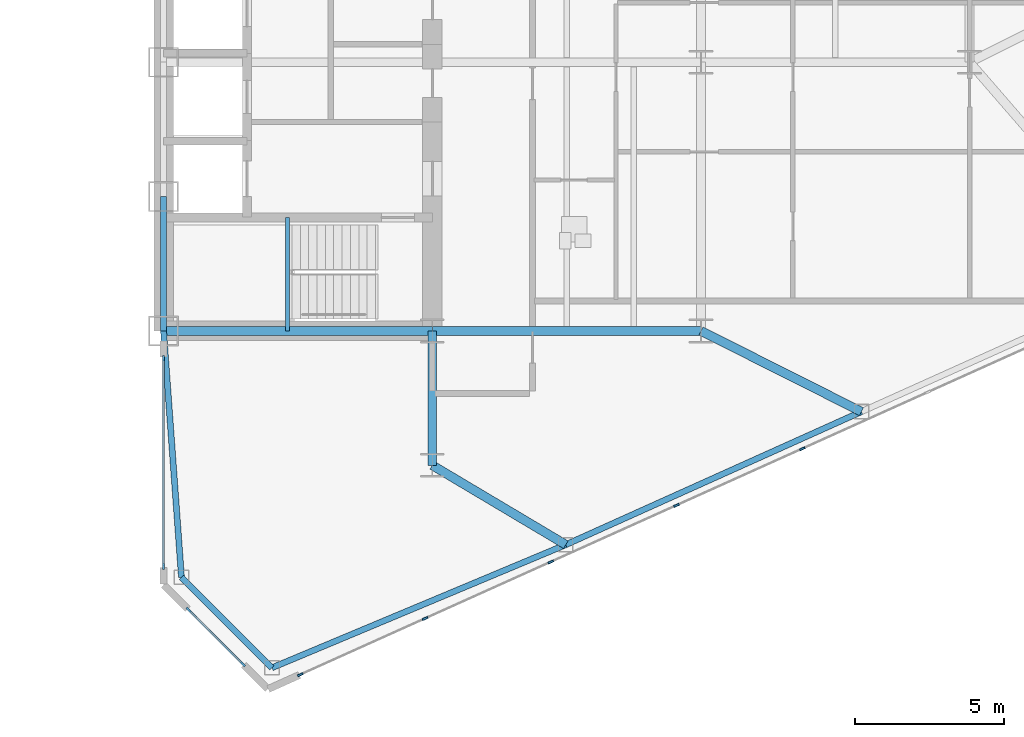
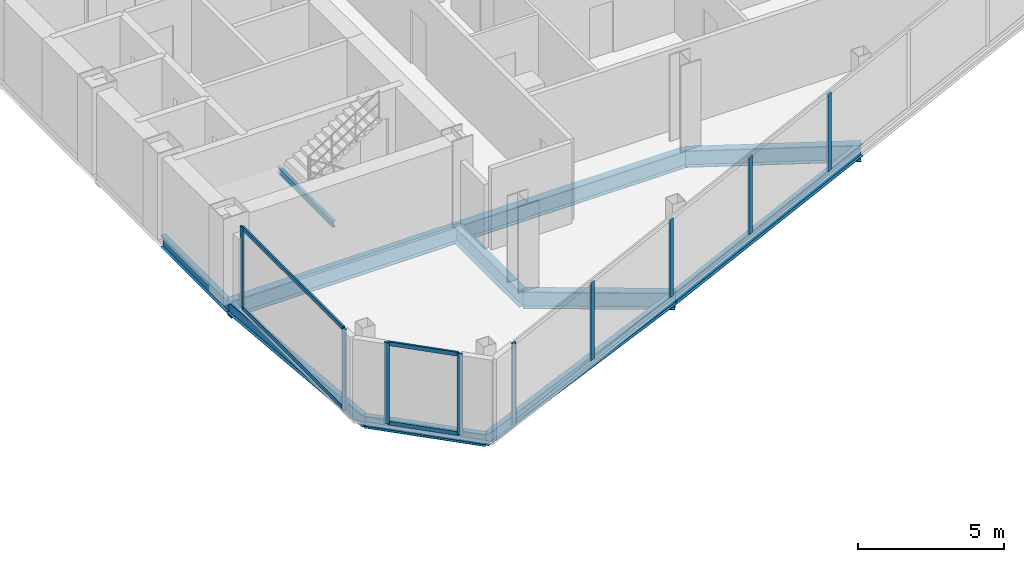
# One storey, part 10 of 27: 13 members, 11 beams, 3 elements without a shape of their own.
"""IFC4 building model written with IfcOpenShell, lengths in metres."""

from ifc_helpers import new_model, si_unit, direction, frame, origin, origin_2d, place, context, subcontext, project, spatial, rectangle, i_section, extrude, source, transform, mapped, material, layer, layer_set, material_profile, profile_set, type_object, type_shapes, element, aggregate, save


model = new_model("IFC4")

# Units and contexts
model_context = context("Model", 3, precision=1e-05, world=origin(), true_north=direction((0.0, 1.0)))
body_context = subcontext(model_context, "Body", "Model", "MODEL_VIEW")
ifc_project = project(units=[si_unit("LENGTHUNIT", "METRE"), si_unit("AREAUNIT", "SQUARE_METRE"), si_unit("VOLUMEUNIT", "CUBIC_METRE"), si_unit("PLANEANGLEUNIT", "RADIAN"), si_unit("MASSUNIT", "GRAM", prefix="KILO")], contexts=[model_context])

# Site, building, storey
site_placement = place(None, origin())
site = spatial("IfcSite", under=ifc_project, at=site_placement, CompositionType="ELEMENT")
building_placement = place(site_placement, origin())
building = spatial("IfcBuilding", under=site, at=building_placement, Name="Seokmaru Belvedere", CompositionType="ELEMENT")
storey_placement = place(building_placement, frame((0.0, 0.0, 92.39990234375)))
storey = spatial("IfcBuildingStorey", under=building, at=storey_placement, Name="L24", CompositionType="ELEMENT", Elevation=92.39990234375)

# Beams
ifc_material_1 = material(Name="Steel SM355 (355 MPa)", Category="steel")
ifc_material_profile_1 = material_profile(ifc_material_1, i_section(OverallWidth=0.199951171875, OverallDepth=0.5, WebThickness=0.010009765625, FlangeThickness=0.01611328125, at=origin_2d()), Name="H-500x200x10x16")
ifc_profile_set_1 = profile_set([ifc_material_profile_1], Name="Steel SM355 (355 MPa)")
beam_type_1 = type_object("IfcBeamType", Name="Perimeter Spandrel Beam H-500", PredefinedType="SPANDREL", material=ifc_profile_set_1)
shared_shape_1 = source(origin(), body_context, "Body", "SweptSolid", [
    extrude(i_section(OverallWidth=0.199951171875, OverallDepth=0.5, WebThickness=0.010009765625, FlangeThickness=0.01611328125, at=origin_2d()), origin(), (0.0, 0.0, 1.0), 4.5),
])
beam_1_placement = place(storey_placement, frame((27.5, -13.5, -0.469970703125), z_axis=(0.0, 1.0, 0.0), x_axis=(-1.0, 0.0, 0.0)))
element("IfcBeam", 1, at=beam_1_placement, inside=storey, type_object=beam_type_1, Name="L24 E Portal Spine Spandrel 1", PredefinedType="SPANDREL", context=body_context, shape_type="MappedRepresentation", body=[
    mapped(shared_shape_1, transform((0.0, 0.0, 0.0), scale=1.0)),
])
ifc_material_profile_2 = material_profile(ifc_material_1, i_section(OverallWidth=0.300048828125, OverallDepth=0.699951171875, WebThickness=0.012939453125, FlangeThickness=0.02392578125, at=origin_2d()), Name="H-700x300x13x24")
ifc_profile_set_2 = profile_set([ifc_material_profile_2], Name="Steel SM355 (355 MPa)")
beam_type_2 = type_object("IfcBeamType", Name="Primary Floor Girder H-700", PredefinedType="BEAM", material=ifc_profile_set_2)
shared_shape_2 = source(origin(), body_context, "Body", "SweptSolid", [
    extrude(i_section(OverallWidth=0.300048828125, OverallDepth=0.699951171875, WebThickness=0.012939453125, FlangeThickness=0.02392578125, at=origin_2d()), origin(), (0.0, 0.0, 1.0), 4.5),
])
beam_2_placement = place(storey_placement, frame((36.5, -18.0, -0.56982421875), z_axis=(0.0, 1.0, 0.0), x_axis=(-1.0, 0.0, 0.0)))
element("IfcBeam", 2, at=beam_2_placement, inside=storey, type_object=beam_type_2, Name="L24 E Core Shoulder Girder S", PredefinedType="BEAM", context=body_context, shape_type="MappedRepresentation", body=[
    mapped(shared_shape_2, transform((0.0, 0.0, 0.0), scale=1.0)),
])
shared_shape_3 = source(origin(), body_context, "Body", "SweptSolid", [
    extrude(i_section(OverallWidth=0.300048828125, OverallDepth=0.699951171875, WebThickness=0.012939453125, FlangeThickness=0.02392578125, at=origin_2d()), origin(), (0.0, 0.0, 1.0), 9.0),
])
for number, where, z_axis, x_axis, name in (
    (3, (27.5, -13.5, -0.56982421875), (1.0, 0.0, 0.0), (0.0, 1.0, 0.0), "L24 E Core Tie Girder 1"),
    (4, (36.5, -13.5, -0.56982421875), (1.0, 0.0, 0.0), (0.0, 1.0, 0.0), "L24 E Wing Primary Girder 1"),
):
    element("IfcBeam", number, at=place(storey_placement, frame(where, z_axis=z_axis, x_axis=x_axis)), inside=storey, type_object=beam_type_2, Name=name, PredefinedType="BEAM", context=body_context, shape_type="MappedRepresentation", body=[
        mapped(shared_shape_3, transform((0.0, 0.0, 0.0), scale=1.0)),
    ])
shared_shape_4 = source(origin(), body_context, "Body", "SweptSolid", [
    extrude(i_section(OverallWidth=0.199951171875, OverallDepth=0.5, WebThickness=0.010009765625, FlangeThickness=0.01611328125, at=origin_2d()), origin(), (0.0, 0.0, 1.0), 10.66943359375),
])
beam_3_placement = place(storey_placement, frame((31.13134765625, -24.782958984375, -0.469970703125), z_axis=(0.922375393128, 0.386294750355, 0.0), x_axis=(-0.386294750355, 0.922375393128, 0.0)))
element("IfcBeam", 5, at=beam_3_placement, inside=storey, type_object=beam_type_1, Name="L24 E Faceted Flank Spandrel S-1", PredefinedType="SPANDREL", context=body_context, shape_type="MappedRepresentation", body=[
    mapped(shared_shape_4, transform((0.0, 0.0, 0.0), scale=1.0)),
])
shared_shape_5 = source(origin(), body_context, "Body", "SweptSolid", [
    extrude(i_section(OverallWidth=0.199951171875, OverallDepth=0.5, WebThickness=0.010009765625, FlangeThickness=0.01611328125, at=origin_2d()), origin(), (0.0, 0.0, 1.0), 10.85888671875),
])
beam_4_placement = place(storey_placement, frame((40.97265625, -20.661376953125, -0.469970703125), z_axis=(0.911921505175, 0.410364677329, 0.0), x_axis=(-0.410364677329, 0.911921505175, 0.0)))
element("IfcBeam", 6, at=beam_4_placement, inside=storey, type_object=beam_type_1, Name="L24 E Faceted Flank Spandrel S-2", PredefinedType="SPANDREL", context=body_context, shape_type="MappedRepresentation", body=[
    mapped(shared_shape_5, transform((0.0, 0.0, 0.0), scale=1.0)),
])
shared_shape_6 = source(origin(), body_context, "Body", "SweptSolid", [
    extrude(i_section(OverallWidth=0.199951171875, OverallDepth=0.5, WebThickness=0.010009765625, FlangeThickness=0.01611328125, at=origin_2d()), origin(), (0.0, 0.0, 1.0), 4.287109375),
])
beam_5_placement = place(storey_placement, frame((31.13134765625, -24.782958984375, -0.469970703125), z_axis=(-0.707078306132, 0.707135255094, 0.0), x_axis=(-0.707135255094, -0.707078306132, 0.0)))
element("IfcBeam", 7, at=beam_5_placement, inside=storey, type_object=beam_type_1, Name="L24 E Shoulder Chamfer Spandrel S", PredefinedType="SPANDREL", context=body_context, shape_type="MappedRepresentation", body=[
    mapped(shared_shape_6, transform((0.0, 0.0, 0.0), scale=1.0)),
])
shared_shape_7 = source(origin(), body_context, "Body", "SweptSolid", [
    extrude(i_section(OverallWidth=0.199951171875, OverallDepth=0.5, WebThickness=0.010009765625, FlangeThickness=0.01611328125, at=origin_2d()), origin(), (0.0, 0.0, 1.0), 8.273193359375),
])
type_shapes(beam_type_1, [shared_shape_1, shared_shape_4, shared_shape_5, shared_shape_6, shared_shape_7])
beam_6_placement = place(storey_placement, frame((28.10009765625, -21.75146484375, -0.469970703125), z_axis=(-0.072534628348, 0.99736589459, 0.0), x_axis=(-0.99736589459, -0.072534628348, 0.0)))
element("IfcBeam", 8, at=beam_6_placement, inside=storey, type_object=beam_type_1, Name="L24 E Shoulder Spine Spandrel S", PredefinedType="SPANDREL", context=body_context, shape_type="MappedRepresentation", body=[
    mapped(shared_shape_7, transform((0.0, 0.0, 0.0), scale=1.0)),
])
shared_shape_8 = source(origin(), body_context, "Body", "SweptSolid", [
    extrude(i_section(OverallWidth=0.300048828125, OverallDepth=0.699951171875, WebThickness=0.012939453125, FlangeThickness=0.02392578125, at=origin_2d()), origin(), (0.0, 0.0, 1.0), 5.20458984375),
])
beam_7_placement = place(storey_placement, frame((40.97265625, -20.661376953125, -0.56982421875), z_axis=(-0.859370434188, 0.511353553662, 0.0), x_axis=(-0.511353553662, -0.859370434188, 0.0)))
element("IfcBeam", 9, at=beam_7_placement, inside=storey, type_object=beam_type_2, Name="L24 E Flank Radial Floor Girder S-1", PredefinedType="BEAM", context=body_context, shape_type="MappedRepresentation", body=[
    mapped(shared_shape_8, transform((0.0, 0.0, 0.0), scale=1.0)),
])
shared_shape_9 = source(origin(), body_context, "Body", "SweptSolid", [
    extrude(i_section(OverallWidth=0.300048828125, OverallDepth=0.699951171875, WebThickness=0.012939453125, FlangeThickness=0.02392578125, at=origin_2d()), origin(), (0.0, 0.0, 1.0), 6.017333984375),
])
type_shapes(beam_type_2, [shared_shape_2, shared_shape_3, shared_shape_8, shared_shape_9])
beam_8_placement = place(storey_placement, frame((50.875, -16.205322265625, -0.56982421875), z_axis=(-0.893239341975, 0.449581447512, 0.0), x_axis=(-0.449581447512, -0.893239341975, 0.0)))
element("IfcBeam", 10, at=beam_8_placement, inside=storey, type_object=beam_type_2, Name="L24 E Flank Radial Floor Girder S-2", PredefinedType="BEAM", context=body_context, shape_type="MappedRepresentation", body=[
    mapped(shared_shape_9, transform((0.0, 0.0, 0.0), scale=1.0)),
])

# Curtain wall, members
ifc_material_2 = material(Name="Bronze Triple Insulating Glass", Category="glass")
ifc_layer = layer(ifc_material_2, 0.195068359375)
ifc_layer_set = layer_set([ifc_layer], Name="Bronze Triple Insulating Glass")
curtain_wall_type = type_object("IfcCurtainWallType", Name="Lower-Mid Tapered Curtain Wall System CW-3", PredefinedType="NOTDEFINED", material=ifc_layer_set)
curtain_wall_1_placement = place(storey_placement, origin())
curtain_wall_1 = element("IfcCurtainWall", 11, at=curtain_wall_1_placement, inside=storey, type_object=curtain_wall_type, Name="L24 Curtain Wall ESP_1", PredefinedType="NOTDEFINED")
ifc_material_3 = material(Name="Anodised Bronze Aluminium", Category="aluminium")
ifc_material_profile_3 = material_profile(ifc_material_3, rectangle(XDim=0.070068359375, YDim=0.1650390625, at=origin_2d()), Name="CW-T-70x165")
ifc_profile_set_3 = profile_set([ifc_material_profile_3], Name="Anodised Bronze Aluminium")
member_type_1 = type_object("IfcMemberType", Name="Bronze Unitised Transom 70x165", PredefinedType="USERDEFINED", material=ifc_profile_set_3)
shared_shape_10 = source(origin(), body_context, "Body", "SweptSolid", [
    extrude(rectangle(XDim=0.070068359375, YDim=0.1650390625, at=origin_2d()), origin(), (0.0, 0.0, 1.0), 6.91015625),
])
member_1_placement = place(storey_placement, frame((27.5, -14.449951171875, 0.03515625), z_axis=(0.0, -1.0, 0.0), x_axis=(1.0, 0.0, 0.0)))
member_1 = element("IfcMember", 12, at=member_1_placement, type_object=member_type_1, Name="CW:L24:ESP_1 Continuous Transom 1", ObjectType="TRANSOM", PredefinedType="USERDEFINED", context=body_context, shape_type="MappedRepresentation", body=[
    mapped(shared_shape_10, transform((0.0, 0.0, 0.0), scale=1.0)),
])
member_2_placement = place(storey_placement, frame((27.5, -14.449951171875, 3.34521484375), z_axis=(0.0, -1.0, 0.0), x_axis=(1.0, 0.0, 0.0)))
member_2 = element("IfcMember", 13, at=member_2_placement, type_object=member_type_1, Name="CW:L24:ESP_1 Continuous Transom 2", ObjectType="TRANSOM", PredefinedType="USERDEFINED", context=body_context, shape_type="MappedRepresentation", body=[
    mapped(shared_shape_10, transform((0.0, 0.0, 0.0), scale=1.0)),
])

curtain_wall_2_placement = place(storey_placement, origin())
curtain_wall_2 = element("IfcCurtainWall", 14, at=curtain_wall_2_placement, inside=storey, type_object=curtain_wall_type, Name="L24 Curtain Wall EF6", PredefinedType="NOTDEFINED")
shared_shape_11 = source(origin(), body_context, "Body", "SweptSolid", [
    extrude(rectangle(XDim=0.070068359375, YDim=0.1650390625, at=origin_2d()), origin(), (0.0, 0.0, 1.0), 2.509521484375),
])
type_shapes(member_type_1, [shared_shape_10, shared_shape_11])
member_3_placement = place(storey_placement, frame((28.36279296875, -22.86279296875, 0.03515625), z_axis=(0.707106781187, -0.707106781187, 0.0), x_axis=(0.707106781187, 0.707106781187, 0.0)))
member_3 = element("IfcMember", 15, at=member_3_placement, type_object=member_type_1, Name="CW:L24:EF6 Continuous Transom 1", ObjectType="TRANSOM", PredefinedType="USERDEFINED", context=body_context, shape_type="MappedRepresentation", body=[
    mapped(shared_shape_11, transform((0.0, 0.0, 0.0), scale=1.0)),
])
member_4_placement = place(storey_placement, frame((28.36279296875, -22.86279296875, 3.34521484375), z_axis=(0.707106781187, -0.707106781187, 0.0), x_axis=(0.707106781187, 0.707106781187, 0.0)))
member_4 = element("IfcMember", 16, at=member_4_placement, type_object=member_type_1, Name="CW:L24:EF6 Continuous Transom 2", ObjectType="TRANSOM", PredefinedType="USERDEFINED", context=body_context, shape_type="MappedRepresentation", body=[
    mapped(shared_shape_11, transform((0.0, 0.0, 0.0), scale=1.0)),
])

curtain_wall_3_placement = place(storey_placement, origin())
curtain_wall_3 = element("IfcCurtainWall", 17, at=curtain_wall_3_placement, inside=storey, type_object=curtain_wall_type, Name="L24 Curtain Wall EF1", PredefinedType="NOTDEFINED")
ifc_material_profile_4 = material_profile(ifc_material_3, rectangle(XDim=0.070068359375, YDim=0.195068359375, at=origin_2d()), Name="CW-M-70x195")
ifc_profile_set_4 = profile_set([ifc_material_profile_4], Name="Anodised Bronze Aluminium")
member_type_2 = type_object("IfcMemberType", Name="Bronze Unitised Mullion 70x195", PredefinedType="MULLION", material=ifc_profile_set_4)
shared_shape_12 = source(origin(), body_context, "Body", "SweptSolid", [
    extrude(rectangle(XDim=0.070068359375, YDim=0.195068359375, at=origin_2d()), origin(), (0.0, 0.0, 1.0), 3.239990234375),
])
member_5_placement = place(storey_placement, frame((36.260009765625, -23.133056640625, 0.070068359375), z_axis=(0.0, 0.0, 1.0), x_axis=(-0.41036554765, 0.91192111353, 0.0)))
member_5 = element("IfcMember", 18, at=member_5_placement, type_object=member_type_2, Name="CW:L24:EF1 Mullion 2", PredefinedType="MULLION", context=body_context, shape_type="MappedRepresentation", body=[
    mapped(shared_shape_12, transform((0.0, 0.0, 0.0), scale=1.0)),
])
member_6_placement = place(storey_placement, frame((40.471435546875, -21.23779296875, 0.070068359375), z_axis=(0.0, 0.0, 1.0), x_axis=(-0.41036554765, 0.91192111353, 0.0)))
member_6 = element("IfcMember", 19, at=member_6_placement, type_object=member_type_2, Name="CW:L24:EF1 Mullion 3", PredefinedType="MULLION", context=body_context, shape_type="MappedRepresentation", body=[
    mapped(shared_shape_12, transform((0.0, 0.0, 0.0), scale=1.0)),
])
member_7_placement = place(storey_placement, frame((44.682861328125, -19.3427734375, 0.070068359375), z_axis=(0.0, 0.0, 1.0), x_axis=(-0.41036554765, 0.91192111353, 0.0)))
member_7 = element("IfcMember", 20, at=member_7_placement, type_object=member_type_2, Name="CW:L24:EF1 Mullion 4", PredefinedType="MULLION", context=body_context, shape_type="MappedRepresentation", body=[
    mapped(shared_shape_12, transform((0.0, 0.0, 0.0), scale=1.0)),
])
member_8_placement = place(storey_placement, frame((48.894287109375, -17.447509765625, 0.070068359375), z_axis=(0.0, 0.0, 1.0), x_axis=(-0.41036554765, 0.91192111353, 0.0)))
member_8 = element("IfcMember", 21, at=member_8_placement, type_object=member_type_2, Name="CW:L24:EF1 Mullion 5", PredefinedType="MULLION", context=body_context, shape_type="MappedRepresentation", body=[
    mapped(shared_shape_12, transform((0.0, 0.0, 0.0), scale=1.0)),
])
shared_shape_13 = source(origin(), body_context, "Body", "SweptSolid", [
    extrude(rectangle(XDim=0.070068359375, YDim=0.195068359375, at=origin_2d()), origin(), (0.0, 0.0, 1.0), 3.380126953125),
])
type_shapes(member_type_2, [shared_shape_12, shared_shape_13])
member_9_placement = place(storey_placement, frame((32.08056640625, -25.013671875, 0.0), z_axis=(0.0, 0.0, 1.0), x_axis=(-0.41036554765, 0.91192111353, 0.0)))
member_9 = element("IfcMember", 22, at=member_9_placement, type_object=member_type_2, Name="CW:L24:EF1 Mullion 1", PredefinedType="MULLION", context=body_context, shape_type="MappedRepresentation", body=[
    mapped(shared_shape_13, transform((0.0, 0.0, 0.0), scale=1.0)),
])
aggregate(curtain_wall_3, [member_9, member_5, member_6, member_7, member_8])

# Member
member_10_placement = place(storey_placement, frame((27.5, -14.4150390625, 0.0), z_axis=(0.0, 0.0, 1.0), x_axis=(1.0, 0.0, 0.0)))
member_10 = element("IfcMember", 23, at=member_10_placement, type_object=member_type_2, Name="CW:L24:ESP_1 Mullion 1", PredefinedType="MULLION", context=body_context, shape_type="MappedRepresentation", body=[
    mapped(shared_shape_13, transform((0.0, 0.0, 0.0), scale=1.0)),
])

member_11_placement = place(storey_placement, frame((27.5, -21.39501953125, 0.0), z_axis=(0.0, 0.0, 1.0), x_axis=(1.0, 0.0, 0.0)))
member_11 = element("IfcMember", 24, at=member_11_placement, type_object=member_type_2, Name="CW:L24:ESP_1 Mullion 2", PredefinedType="MULLION", context=body_context, shape_type="MappedRepresentation", body=[
    mapped(shared_shape_13, transform((0.0, 0.0, 0.0), scale=1.0)),
])

aggregate(curtain_wall_1, [member_10, member_11, member_1, member_2])

member_12_placement = place(storey_placement, frame((28.337890625, -22.837890625, 0.0), z_axis=(0.0, 0.0, 1.0), x_axis=(0.707106781187, 0.707106781187, 0.0)))
member_12 = element("IfcMember", 25, at=member_12_placement, type_object=member_type_2, Name="CW:L24:EF6 Mullion 1", PredefinedType="MULLION", context=body_context, shape_type="MappedRepresentation", body=[
    mapped(shared_shape_13, transform((0.0, 0.0, 0.0), scale=1.0)),
])

member_13_placement = place(storey_placement, frame((30.162109375, -24.662109375, 0.0), z_axis=(0.0, 0.0, 1.0), x_axis=(0.707106781187, 0.707106781187, 0.0)))
member_13 = element("IfcMember", 26, at=member_13_placement, type_object=member_type_2, Name="CW:L24:EF6 Mullion 2", PredefinedType="MULLION", context=body_context, shape_type="MappedRepresentation", body=[
    mapped(shared_shape_13, transform((0.0, 0.0, 0.0), scale=1.0)),
])

aggregate(curtain_wall_2, [member_12, member_13, member_3, member_4])

# Beam
ifc_material_profile_5 = material_profile(ifc_material_1, i_section(OverallWidth=0.125, OverallDepth=0.25, WebThickness=0.006103515625, FlangeThickness=0.009033203125, at=origin_2d()), Name="H-250x125x6x9")
ifc_profile_set_5 = profile_set([ifc_material_profile_5], Name="Steel SM355 (355 MPa)")
beam_type_3 = type_object("IfcBeamType", Name="Stair Mid-Landing Support Beam H-250", PredefinedType="JOIST", material=ifc_profile_set_5)
shared_shape_14 = source(origin(), body_context, "Body", "SweptSolid", [
    extrude(i_section(OverallWidth=0.125, OverallDepth=0.25, WebThickness=0.006103515625, FlangeThickness=0.009033203125, at=origin_2d()), origin(), (0.0, 0.0, 1.0), 3.800048828125),
])
type_shapes(beam_type_3, [shared_shape_14])
beam_9_placement = place(storey_placement, frame((31.64990234375, -13.5, 1.47509765625), z_axis=(0.0, 1.0, 0.0), x_axis=(-1.0, 0.0, 0.0)))
element("IfcBeam", 27, at=beam_9_placement, inside=storey, type_object=beam_type_3, Name="L24 Stair ST-E1 Mid-Landing Support Beam 1", PredefinedType="JOIST", context=body_context, shape_type="MappedRepresentation", body=[
    mapped(shared_shape_14, transform((0.0, 0.0, 0.0), scale=1.0)),
])

save(model, "model.ifc")
